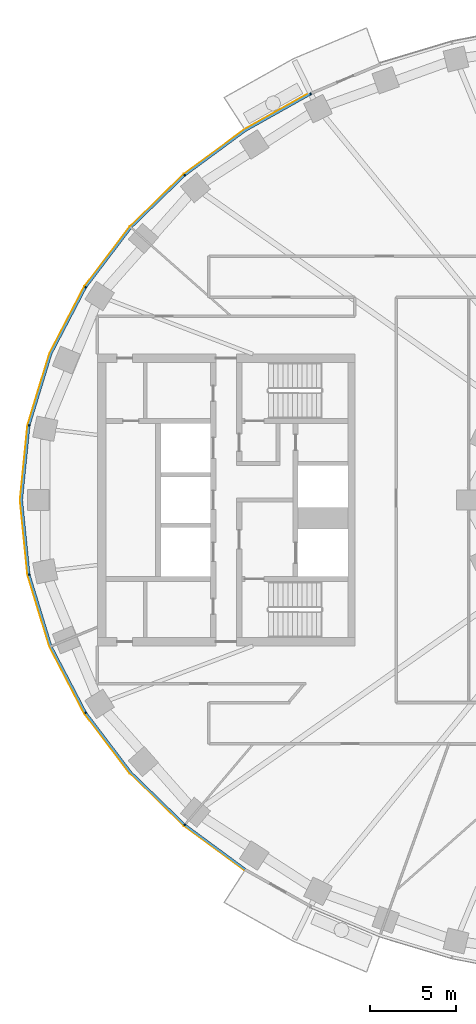
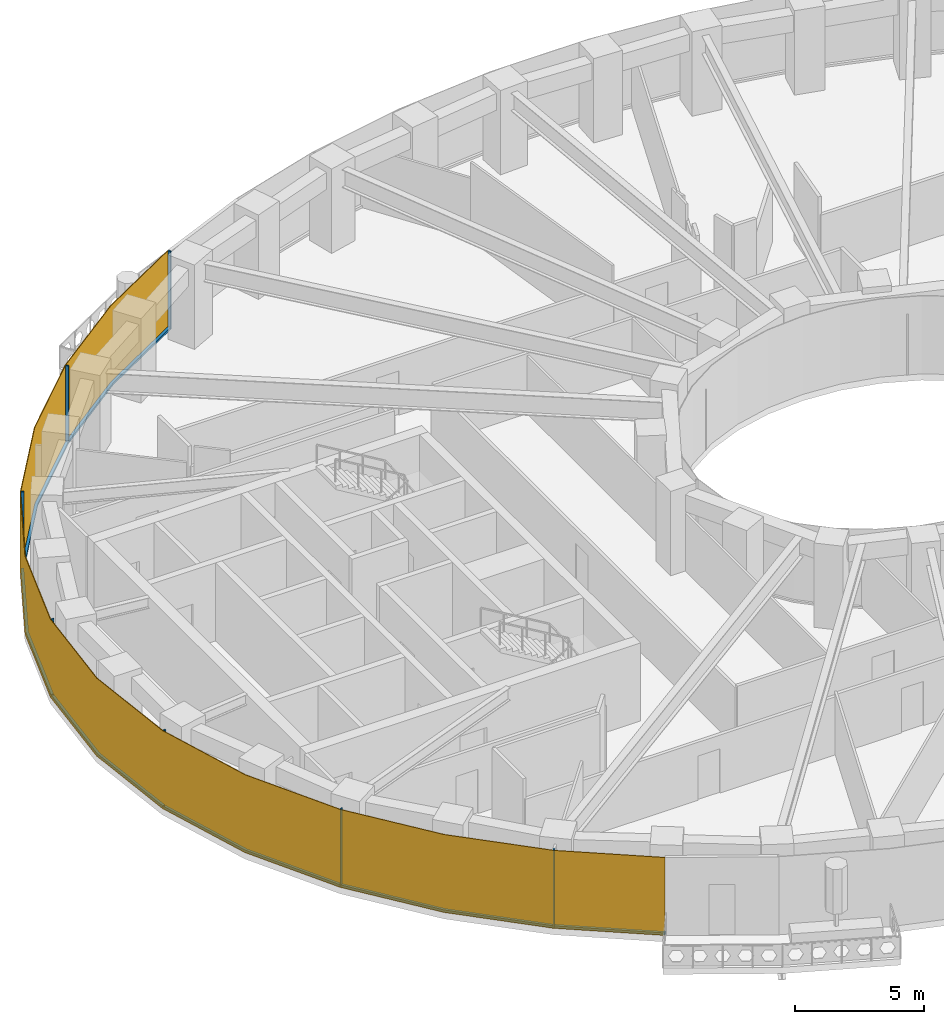
# One storey, part 8 of 15: 14 members, 1 curtain wall.
"""IFC4 building model written with IfcOpenShell, lengths in metres."""

from ifc_helpers import new_model, si_unit, direction, frame, origin, origin_2d, place, context, subcontext, project, spatial, polyline, rectangle, outline, extrude, material, layer, layer_set, material_profile, profile_set, type_object, element, aggregate, save


model = new_model("IFC4")

# Units and contexts
model_context = context("Model", 3, precision=1e-05, world=origin(), true_north=direction((0.0, 1.0)))
body_context = subcontext(model_context, "Body", "Model", "MODEL_VIEW")
ifc_project = project(units=[si_unit("LENGTHUNIT", "METRE"), si_unit("AREAUNIT", "SQUARE_METRE"), si_unit("VOLUMEUNIT", "CUBIC_METRE"), si_unit("PLANEANGLEUNIT", "RADIAN"), si_unit("MASSUNIT", "GRAM", prefix="KILO")], contexts=[model_context])

# Member
ifc_material_1 = material(Name="Aluminium 6063-T6 black anodised", Category="aluminium")
ifc_material_profile = material_profile(ifc_material_1, rectangle(XDim=0.1201171875, YDim=0.06005859375, at=origin_2d()), Name="120x60")
ifc_profile_set = profile_set([ifc_material_profile], Name="Aluminium 6063-T6 black anodised")
member_type_1 = type_object("IfcMemberType", Name="ENV-MULLION-A-120", PredefinedType="MULLION", material=ifc_profile_set)
site_placement = place(None, origin())
building_placement = place(site_placement, origin())
storey_placement = place(building_placement, frame((0.0, 0.0, 128.0)))
member_1_placement = place(storey_placement, frame((-19.06787109375, 23.6474609375, 0.0), z_axis=(0.0, 0.0, 1.0), x_axis=(0.439237769837, -0.898370848563, 0.0)))
member_1 = element("IfcMember", 1, at=member_1_placement, type_object=member_type_1, Name="Mullion A radial 17", PredefinedType="MULLION", context=body_context, shape_type="SweptSolid", body=[
    extrude(rectangle(XDim=0.1201171875, YDim=0.06005859375, at=origin_2d()), origin(), (0.0, 0.0, 1.0), 3.699951171875),
])

member_2_placement = place(storey_placement, frame((-26.403564453125, 18.9130859375, 0.0), z_axis=(0.0, 0.0, 1.0), x_axis=(0.646451313783, -0.762955240435, 0.0)))
member_2 = element("IfcMember", 2, at=member_2_placement, type_object=member_type_1, Name="Mullion A radial 19", PredefinedType="MULLION", context=body_context, shape_type="SweptSolid", body=[
    extrude(rectangle(XDim=0.1201171875, YDim=0.06005859375, at=origin_2d()), origin(), (0.0, 0.0, 1.0), 3.699951171875),
])

member_3_placement = place(storey_placement, frame((-32.177490234375, 12.385498046875, 0.0), z_axis=(0.0, 0.0, 1.0), x_axis=(0.844829880882, -0.53503501976, 0.0)))
member_3 = element("IfcMember", 3, at=member_3_placement, type_object=member_type_1, Name="Mullion A radial 21", PredefinedType="MULLION", context=body_context, shape_type="SweptSolid", body=[
    extrude(rectangle(XDim=0.1201171875, YDim=0.06005859375, at=origin_2d()), origin(), (0.0, 0.0, 1.0), 3.699951171875),
])

member_4_placement = place(storey_placement, frame((-35.470947265625, 4.340576171875, 0.0), z_axis=(0.0, 0.0, 1.0), x_axis=(0.980379083141, -0.19712141776, 0.0)))
member_4 = element("IfcMember", 4, at=member_4_placement, type_object=member_type_1, Name="Mullion A radial 23", PredefinedType="MULLION", context=body_context, shape_type="SweptSolid", body=[
    extrude(rectangle(XDim=0.1201171875, YDim=0.06005859375, at=origin_2d()), origin(), (0.0, 0.0, 1.0), 3.699951171875),
])

member_5_placement = place(storey_placement, frame((-35.470947265625, -4.340576171875, 0.0), z_axis=(0.0, 0.0, 1.0), x_axis=(0.980379083141, 0.19712141776, 0.0)))
member_5 = element("IfcMember", 5, at=member_5_placement, type_object=member_type_1, Name="Mullion A radial 25", PredefinedType="MULLION", context=body_context, shape_type="SweptSolid", body=[
    extrude(rectangle(XDim=0.1201171875, YDim=0.06005859375, at=origin_2d()), origin(), (0.0, 0.0, 1.0), 3.699951171875),
])

member_6_placement = place(storey_placement, frame((-32.177490234375, -12.385498046875, 0.0), z_axis=(0.0, 0.0, 1.0), x_axis=(0.844829880882, 0.53503501976, 0.0)))
member_6 = element("IfcMember", 6, at=member_6_placement, type_object=member_type_1, Name="Mullion A radial 27", PredefinedType="MULLION", context=body_context, shape_type="SweptSolid", body=[
    extrude(rectangle(XDim=0.1201171875, YDim=0.06005859375, at=origin_2d()), origin(), (0.0, 0.0, 1.0), 3.699951171875),
])

member_7_placement = place(storey_placement, frame((-26.403564453125, -18.9130859375, 0.0), z_axis=(0.0, 0.0, 1.0), x_axis=(0.646451313783, 0.762955240435, 0.0)))
member_7 = element("IfcMember", 7, at=member_7_placement, type_object=member_type_1, Name="Mullion A radial 29", PredefinedType="MULLION", context=body_context, shape_type="SweptSolid", body=[
    extrude(rectangle(XDim=0.1201171875, YDim=0.06005859375, at=origin_2d()), origin(), (0.0, 0.0, 1.0), 3.699951171875),
])

ifc_material_2 = material(Name="Aluminium 6063-T6 black anodised", Category="aluminium")
member_type_2 = type_object("IfcMemberType", Name="ENV-TRANSOM-A", PredefinedType="USERDEFINED", material=ifc_material_2)
member_8_placement = place(storey_placement, origin())
member_8 = element("IfcMember", 8, at=member_8_placement, type_object=member_type_2, Name="Transom A radial 17-19", ObjectType="TRANSOM", PredefinedType="USERDEFINED", context=body_context, shape_type="SweptSolid", body=[
    extrude(outline(polyline([(-19.11865234375, 23.687744140625), (-22.9150390625, 21.556884765625), (-26.419921875, 18.975341796875), (-26.342041015625, 18.883544921875), (-22.85009765625, 21.455810546875), (-19.06591796875, 23.57958984375), (-19.11865234375, 23.687744140625)])), origin(), (0.0, 0.0, 1.0), 0.10009765625),
])

member_9_placement = place(storey_placement, origin())
member_9 = element("IfcMember", 9, at=member_9_placement, type_object=member_type_2, Name="Transom A radial 19-21", ObjectType="TRANSOM", PredefinedType="USERDEFINED", context=body_context, shape_type="SweptSolid", body=[
    extrude(outline(polyline([(-26.46240234375, 18.939208984375), (-29.58349609375, 15.906982421875), (-32.211181640625, 12.43994140625), (-32.109375, 12.37548828125), (-29.493408203125, 15.8271484375), (-26.384765625, 18.847412109375), (-26.46240234375, 18.939208984375)])), origin(), (0.0, 0.0, 1.0), 0.10009765625),
])

member_10_placement = place(storey_placement, origin())
member_10 = element("IfcMember", 10, at=member_10_placement, type_object=member_type_2, Name="Transom A radial 21-23", ObjectType="TRANSOM", PredefinedType="USERDEFINED", context=body_context, shape_type="SweptSolid", body=[
    extrude(outline(polyline([(-32.240966796875, 12.392578125), (-34.251220703125, 8.53662109375), (-35.521484375, 4.379150390625), (-35.4033203125, 4.355224609375), (-34.139892578125, 8.490966796875), (-32.139404296875, 12.328369140625), (-32.240966796875, 12.392578125)])), origin(), (0.0, 0.0, 1.0), 0.10009765625),
])

member_11_placement = place(storey_placement, origin())
member_11 = element("IfcMember", 11, at=member_11_placement, type_object=member_type_2, Name="Transom A radial 23-25", ObjectType="TRANSOM", PredefinedType="USERDEFINED", context=body_context, shape_type="SweptSolid", body=[
    extrude(outline(polyline([(-35.532470703125, 4.324462890625), (-35.9677734375, 0.0), (-35.532470703125, -4.324462890625), (-35.414306640625, -4.30078125), (-35.84716796875, 0.0), (-35.414306640625, 4.30078125), (-35.532470703125, 4.324462890625)])), origin(), (0.0, 0.0, 1.0), 0.10009765625),
])

member_12_placement = place(storey_placement, origin())
member_12 = element("IfcMember", 12, at=member_12_placement, type_object=member_type_2, Name="Transom A radial 25-27", ObjectType="TRANSOM", PredefinedType="USERDEFINED", context=body_context, shape_type="SweptSolid", body=[
    extrude(outline(polyline([(-35.521484375, -4.379150390625), (-34.251220703125, -8.53662109375), (-32.240966796875, -12.392578125), (-32.139404296875, -12.328369140625), (-34.139892578125, -8.490966796875), (-35.4033203125, -4.355224609375), (-35.521484375, -4.379150390625)])), origin(), (0.0, 0.0, 1.0), 0.10009765625),
])

member_13_placement = place(storey_placement, origin())
member_13 = element("IfcMember", 13, at=member_13_placement, type_object=member_type_2, Name="Transom A radial 27-29", ObjectType="TRANSOM", PredefinedType="USERDEFINED", context=body_context, shape_type="SweptSolid", body=[
    extrude(outline(polyline([(-32.211181640625, -12.43994140625), (-29.58349609375, -15.906982421875), (-26.46240234375, -18.939208984375), (-26.384765625, -18.847412109375), (-29.493408203125, -15.8271484375), (-32.109375, -12.37548828125), (-32.211181640625, -12.43994140625)])), origin(), (0.0, 0.0, 1.0), 0.10009765625),
])

member_14_placement = place(storey_placement, origin())
member_14 = element("IfcMember", 14, at=member_14_placement, type_object=member_type_2, Name="Transom A radial 29-30", ObjectType="TRANSOM", PredefinedType="USERDEFINED", context=body_context, shape_type="SweptSolid", body=[
    extrude(outline(polyline([(-26.419921875, -18.975341796875), (-22.931396484375, -21.544921875), (-22.8662109375, -21.444091796875), (-26.342041015625, -18.883544921875), (-26.419921875, -18.975341796875)])), origin(), (0.0, 0.0, 1.0), 0.10009765625),
])

# Site, building, storey
site = spatial("IfcSite", under=ifc_project, at=site_placement, CompositionType="ELEMENT")
building = spatial("IfcBuilding", under=site, at=building_placement, Name="Noorbagh Ring Tower", CompositionType="ELEMENT")
storey = spatial("IfcBuildingStorey", under=building, at=storey_placement, Name="L29", CompositionType="ELEMENT", Elevation=128.0)

# Curtain wall
ifc_material_3 = material(Name="Glass dark tinted laminated", Category="glass")
ifc_layer = layer(ifc_material_3, 0.031982421875)
ifc_layer_set = layer_set([ifc_layer], Name="Glass dark tinted laminated")
curtain_wall_type = type_object("IfcCurtainWallType", Name="ENV-CW-A", PredefinedType="NOTDEFINED", material=ifc_layer_set)
curtain_wall_placement = place(storey_placement, origin())
curtain_wall = element("IfcCurtainWall", 15, at=curtain_wall_placement, inside=storey, type_object=curtain_wall_type, Name="Curtain wall A R17", PredefinedType="NOTDEFINED", context=body_context, shape_type="SweptSolid", body=[
    extrude(outline(polyline([(-19.125732421875, 23.720458984375), (-22.9326171875, 21.583740234375), (-26.463134765625, 18.9833984375), (-29.607666015625, 15.927978515625), (-32.255126953125, 12.434814453125), (-34.281005859375, 8.548828125), (-35.561279296875, 4.358642578125), (-36.0, 0.0), (-35.561279296875, -4.358642578125), (-34.281005859375, -8.548828125), (-32.255126953125, -12.434814453125), (-29.607666015625, -15.927978515625), (-26.463134765625, -18.9833984375), (-22.948486328125, -21.572021484375), (-22.931396484375, -21.544921875), (-26.4423828125, -18.958740234375), (-29.58349609375, -15.906982421875), (-32.22802734375, -12.41748046875), (-34.251220703125, -8.53662109375), (-35.529541015625, -4.352294921875), (-35.9677734375, 0.0), (-35.529541015625, 4.352294921875), (-34.251220703125, 8.53662109375), (-32.22802734375, 12.41748046875), (-29.58349609375, 15.906982421875), (-26.4423828125, 18.958740234375), (-22.9150390625, 21.556884765625), (-19.111572265625, 23.691650390625), (-19.125732421875, 23.720458984375)])), origin(), (0.0, 0.0, 1.0), 3.699951171875),
])

aggregate(curtain_wall, [member_1, member_2, member_3, member_4, member_5, member_6, member_7, member_8, member_9, member_10, member_11, member_12, member_13, member_14])

save(model, "model.ifc")
